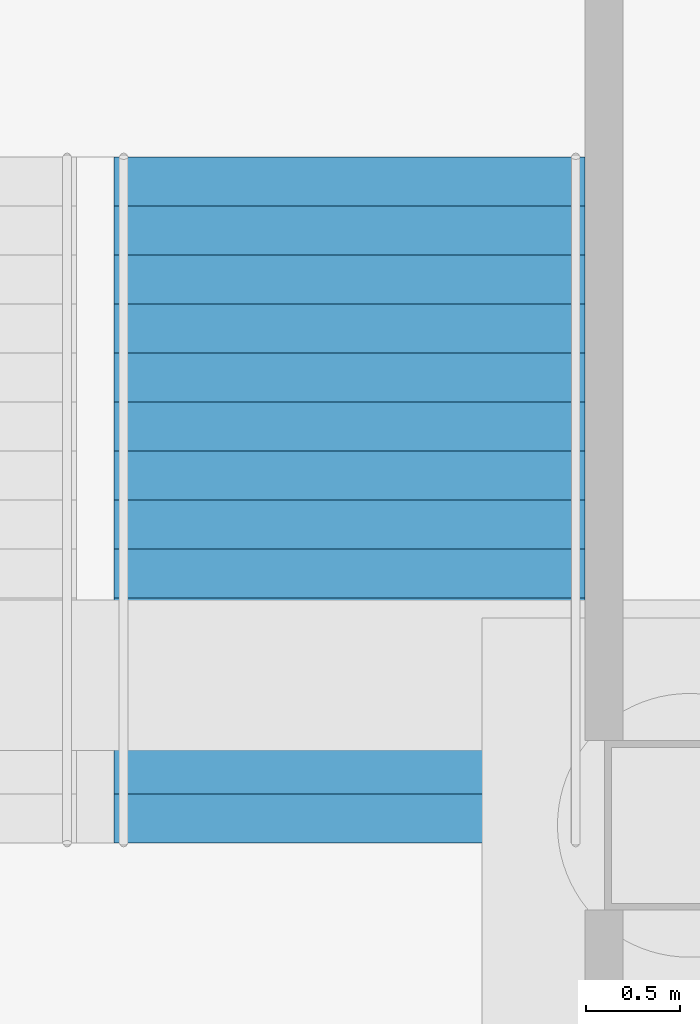
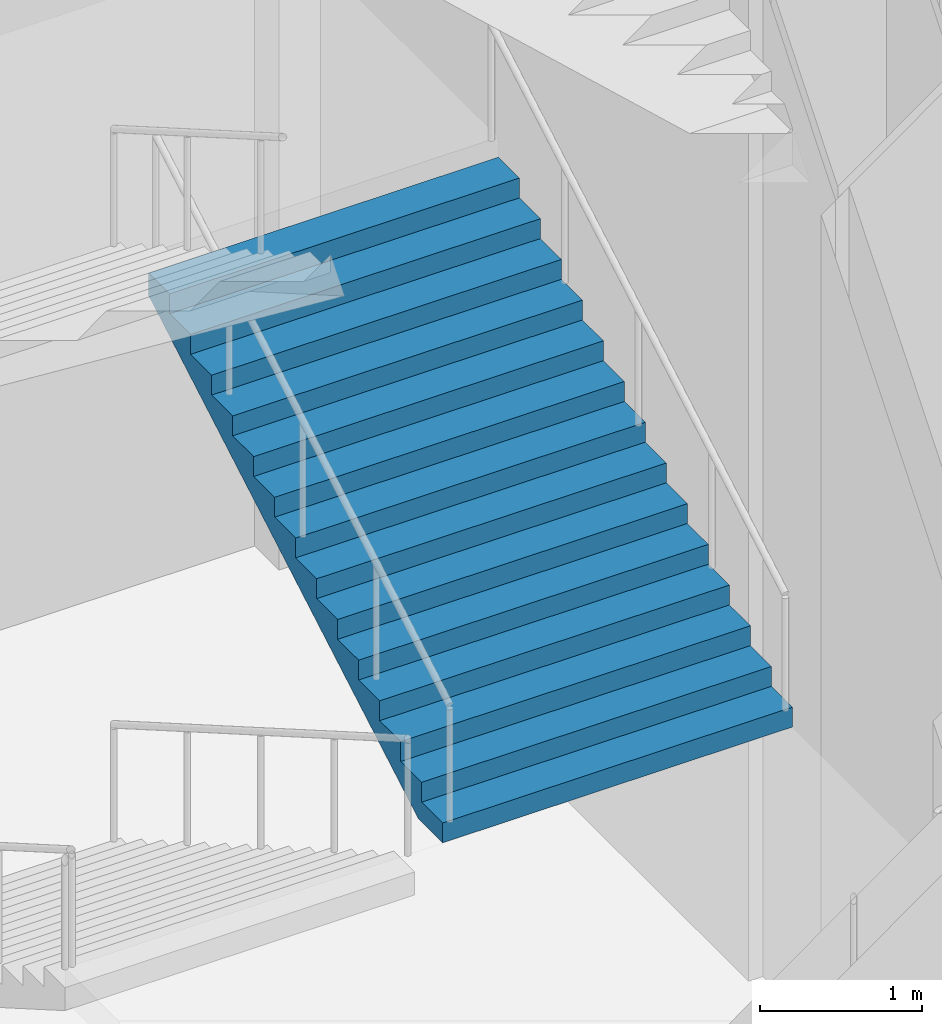
# One storey, part 86 of 113: 1 stair flight, 1 element without a shape of its own.
"""IFC4 building model written with IfcOpenShell, lengths in metres."""

from ifc_helpers import new_model, si_unit, direction, frame, origin, place, context, subcontext, project, spatial, triangles, material, type_object, element, aggregate, save


model = new_model("IFC4")

# Units and contexts
model_context = context("Model", 3, precision=1e-05, world=origin(), true_north=direction((0.0, 1.0)))
body_context = subcontext(model_context, "Body", "Model", "MODEL_VIEW")
ifc_project = project(units=[si_unit("LENGTHUNIT", "METRE"), si_unit("AREAUNIT", "SQUARE_METRE"), si_unit("VOLUMEUNIT", "CUBIC_METRE"), si_unit("PLANEANGLEUNIT", "RADIAN"), si_unit("MASSUNIT", "GRAM", prefix="KILO")], contexts=[model_context])

# Site, building, storey
site_placement = place(None, origin())
site = spatial("IfcSite", under=ifc_project, at=site_placement, CompositionType="ELEMENT")
building_placement = place(site_placement, origin())
building = spatial("IfcBuilding", under=site, at=building_placement, Name="Hakoniwa Tower and Hamabe Station Hall", CompositionType="ELEMENT")
storey_placement = place(building_placement, origin())
storey = spatial("IfcBuildingStorey", under=building, at=storey_placement, Name="L01", CompositionType="ELEMENT", Elevation=0.0)

# Stair, stair flight
ifc_material_1 = material(Name="Concrete C40", Category="concrete")
stair_type = type_object("IfcStairType", Name="STAIR 2500 15X150", PredefinedType="HALF_TURN_STAIR", material=ifc_material_1)
stair_placement = place(storey_placement, origin())
stair = element("IfcStair", 1, at=stair_placement, inside=storey, type_object=stair_type, Name="Escape stair PS2", PredefinedType="HALF_TURN_STAIR")
ifc_material_2 = material(Name="Concrete C40", Category="concrete")
stair_flight_type = type_object("IfcStairFlightType", Name="STAIR FLIGHT 2500", PredefinedType="STRAIGHT", material=ifc_material_2)
stair_flight_placement = place(storey_placement, frame((47.800048828125, 18.7099609375, 2.25), z_axis=(0.0, 0.0, 1.0), x_axis=(0.0, 1.0, 0.0)))
stair_flight = element("IfcStairFlight", 2, at=stair_flight_placement, type_object=stair_flight_type, Name="PS2 flight 2", NumberOfRisers=15, NumberOfTreads=14, PredefinedType="STRAIGHT", RiserHeight=0.15, TreadLength=0.26, context=body_context, shape_type="Tessellation", body=[
    triangles([(0.0, 1.25, 0.0), (0.260009765625, 1.25, 0.0), (0.300048828125, 1.25, 0.0), (0.52001953125, 1.25, 0.126953125), (0.780029296875, 1.25, 0.27685546875), (1.0400390625, 1.25, 0.427001953125), (1.300048828125, 1.25, 0.576904296875), (1.56005859375, 1.25, 0.72705078125), (1.820068359375, 1.25, 0.876953125), (2.080078125, 1.25, 1.02685546875), (2.340087890625, 1.25, 1.177001953125), (2.60009765625, 1.25, 1.326904296875), (2.860107421875, 1.25, 1.47705078125), (3.1201171875, 1.25, 1.626953125), (3.3798828125, 1.25, 1.77685546875), (3.639892578125, 1.25, 1.927001953125), (3.639892578125, 1.25, 2.10009765625), (3.3798828125, 1.25, 2.10009765625), (3.3798828125, 1.25, 1.949951171875), (3.1201171875, 1.25, 1.949951171875), (3.1201171875, 1.25, 1.800048828125), (2.860107421875, 1.25, 1.800048828125), (2.860107421875, 1.25, 1.64990234375), (2.60009765625, 1.25, 1.64990234375), (2.60009765625, 1.25, 1.5), (2.340087890625, 1.25, 1.5), (2.340087890625, 1.25, 1.35009765625), (2.080078125, 1.25, 1.35009765625), (2.080078125, 1.25, 1.199951171875), (1.820068359375, 1.25, 1.199951171875), (1.820068359375, 1.25, 1.050048828125), (1.56005859375, 1.25, 1.050048828125), (1.56005859375, 1.25, 0.89990234375), (1.300048828125, 1.25, 0.89990234375), (1.300048828125, 1.25, 0.75), (1.0400390625, 1.25, 0.75), (1.0400390625, 1.25, 0.60009765625), (0.780029296875, 1.25, 0.60009765625), (0.780029296875, 1.25, 0.449951171875), (0.52001953125, 1.25, 0.449951171875), (0.52001953125, 1.25, 0.300048828125), (0.300048828125, 1.25, 0.300048828125), (0.260009765625, 1.25, 0.300048828125), (0.260009765625, 1.25, 0.14990234375), (0.0, 1.25, 0.14990234375), (0.0, 0.06005859375, 0.0), (0.260009765625, 0.06005859375, 0.0), (0.300048828125, 0.06005859375, 0.0), (0.52001953125, 0.06005859375, 0.126953125), (0.780029296875, 0.06005859375, 0.27685546875), (1.0400390625, 0.06005859375, 0.427001953125), (1.300048828125, 0.06005859375, 0.576904296875), (1.56005859375, 0.06005859375, 0.72705078125), (1.820068359375, 0.06005859375, 0.876953125), (2.080078125, 0.06005859375, 1.02685546875), (2.340087890625, 0.06005859375, 1.177001953125), (2.60009765625, 0.06005859375, 1.326904296875), (2.860107421875, 0.06005859375, 1.47705078125), (3.1201171875, 0.06005859375, 1.626953125), (3.3798828125, 0.06005859375, 1.77685546875), (3.639892578125, 0.06005859375, 1.927001953125), (3.639892578125, 0.06005859375, 2.10009765625), (3.3798828125, 0.06005859375, 2.10009765625), (3.3798828125, 0.06005859375, 1.949951171875), (3.1201171875, 0.06005859375, 1.949951171875), (3.1201171875, 0.06005859375, 1.800048828125), (2.860107421875, 0.06005859375, 1.800048828125), (2.860107421875, 0.06005859375, 1.64990234375), (2.60009765625, 0.06005859375, 1.64990234375), (2.60009765625, 0.06005859375, 1.5), (2.340087890625, 0.06005859375, 1.5), (2.340087890625, 0.06005859375, 1.35009765625), (2.080078125, 0.06005859375, 1.35009765625), (2.080078125, 0.06005859375, 1.199951171875), (1.820068359375, 0.06005859375, 1.199951171875), (1.820068359375, 0.06005859375, 1.050048828125), (1.56005859375, 0.06005859375, 1.050048828125), (1.56005859375, 0.06005859375, 0.89990234375), (1.300048828125, 0.06005859375, 0.89990234375), (1.300048828125, 0.06005859375, 0.75), (1.0400390625, 0.06005859375, 0.75), (1.0400390625, 0.06005859375, 0.60009765625), (0.780029296875, 0.06005859375, 0.60009765625), (0.780029296875, 0.06005859375, 0.449951171875), (0.52001953125, 0.06005859375, 0.449951171875), (0.52001953125, 0.06005859375, 0.300048828125), (0.300048828125, 0.06005859375, 0.300048828125), (0.260009765625, 0.06005859375, 0.300048828125), (0.260009765625, 0.06005859375, 0.14990234375), (0.0, 0.06005859375, 0.14990234375), (0.0, 0.02001953125, 0.0), (0.260009765625, 0.02001953125, 0.0), (0.300048828125, 0.02001953125, 0.0), (0.52001953125, 0.02001953125, 0.126953125), (0.780029296875, 0.02001953125, 0.27685546875), (1.0400390625, 0.02001953125, 0.427001953125), (1.300048828125, 0.02001953125, 0.576904296875), (1.56005859375, 0.02001953125, 0.72705078125), (1.820068359375, 0.02001953125, 0.876953125), (2.080078125, 0.02001953125, 1.02685546875), (2.340087890625, 0.02001953125, 1.177001953125), (2.60009765625, 0.02001953125, 1.326904296875), (2.860107421875, 0.02001953125, 1.47705078125), (3.1201171875, 0.02001953125, 1.626953125), (3.3798828125, 0.02001953125, 1.77685546875), (3.639892578125, 0.02001953125, 1.927001953125), (3.639892578125, 0.02001953125, 2.10009765625), (3.3798828125, 0.02001953125, 2.10009765625), (3.3798828125, 0.02001953125, 1.949951171875), (3.1201171875, 0.02001953125, 1.949951171875), (3.1201171875, 0.02001953125, 1.800048828125), (2.860107421875, 0.02001953125, 1.800048828125), (2.860107421875, 0.02001953125, 1.64990234375), (2.60009765625, 0.02001953125, 1.64990234375), (2.60009765625, 0.02001953125, 1.5), (2.340087890625, 0.02001953125, 1.5), (2.340087890625, 0.02001953125, 1.35009765625), (2.080078125, 0.02001953125, 1.35009765625), (2.080078125, 0.02001953125, 1.199951171875), (1.820068359375, 0.02001953125, 1.199951171875), (1.820068359375, 0.02001953125, 1.050048828125), (1.56005859375, 0.02001953125, 1.050048828125), (1.56005859375, 0.02001953125, 0.89990234375), (1.300048828125, 0.02001953125, 0.89990234375), (1.300048828125, 0.02001953125, 0.75), (1.0400390625, 0.02001953125, 0.75), (1.0400390625, 0.02001953125, 0.60009765625), (0.780029296875, 0.02001953125, 0.60009765625), (0.780029296875, 0.02001953125, 0.449951171875), (0.52001953125, 0.02001953125, 0.449951171875), (0.52001953125, 0.02001953125, 0.300048828125), (0.300048828125, 0.02001953125, 0.300048828125), (0.260009765625, 0.02001953125, 0.300048828125), (0.260009765625, 0.02001953125, 0.14990234375), (0.0, 0.02001953125, 0.14990234375), (0.0, -0.02001953125, 0.0), (0.260009765625, -0.02001953125, 0.0), (0.300048828125, -0.02001953125, 0.0), (0.52001953125, -0.02001953125, 0.126953125), (0.780029296875, -0.02001953125, 0.27685546875), (1.0400390625, -0.02001953125, 0.427001953125), (1.300048828125, -0.02001953125, 0.576904296875), (1.56005859375, -0.02001953125, 0.72705078125), (1.820068359375, -0.02001953125, 0.876953125), (2.080078125, -0.02001953125, 1.02685546875), (2.340087890625, -0.02001953125, 1.177001953125), (2.60009765625, -0.02001953125, 1.326904296875), (2.860107421875, -0.02001953125, 1.47705078125), (3.1201171875, -0.02001953125, 1.626953125), (3.3798828125, -0.02001953125, 1.77685546875), (3.639892578125, -0.02001953125, 1.927001953125), (3.639892578125, -0.02001953125, 2.10009765625), (3.3798828125, -0.02001953125, 2.10009765625), (3.3798828125, -0.02001953125, 1.949951171875), (3.1201171875, -0.02001953125, 1.949951171875), (3.1201171875, -0.02001953125, 1.800048828125), (2.860107421875, -0.02001953125, 1.800048828125), (2.860107421875, -0.02001953125, 1.64990234375), (2.60009765625, -0.02001953125, 1.64990234375), (2.60009765625, -0.02001953125, 1.5), (2.340087890625, -0.02001953125, 1.5), (2.340087890625, -0.02001953125, 1.35009765625), (2.080078125, -0.02001953125, 1.35009765625), (2.080078125, -0.02001953125, 1.199951171875), (1.820068359375, -0.02001953125, 1.199951171875), (1.820068359375, -0.02001953125, 1.050048828125), (1.56005859375, -0.02001953125, 1.050048828125), (1.56005859375, -0.02001953125, 0.89990234375), (1.300048828125, -0.02001953125, 0.89990234375), (1.300048828125, -0.02001953125, 0.75), (1.0400390625, -0.02001953125, 0.75), (1.0400390625, -0.02001953125, 0.60009765625), (0.780029296875, -0.02001953125, 0.60009765625), (0.780029296875, -0.02001953125, 0.449951171875), (0.52001953125, -0.02001953125, 0.449951171875), (0.52001953125, -0.02001953125, 0.300048828125), (0.300048828125, -0.02001953125, 0.300048828125), (0.260009765625, -0.02001953125, 0.300048828125), (0.260009765625, -0.02001953125, 0.14990234375), (0.0, -0.02001953125, 0.14990234375), (0.0, -0.06005859375, 0.0), (0.260009765625, -0.06005859375, 0.0), (0.300048828125, -0.06005859375, 0.0), (0.52001953125, -0.06005859375, 0.126953125), (0.780029296875, -0.06005859375, 0.27685546875), (1.0400390625, -0.06005859375, 0.427001953125), (1.300048828125, -0.06005859375, 0.576904296875), (1.56005859375, -0.06005859375, 0.72705078125), (1.820068359375, -0.06005859375, 0.876953125), (2.080078125, -0.06005859375, 1.02685546875), (2.340087890625, -0.06005859375, 1.177001953125), (2.60009765625, -0.06005859375, 1.326904296875), (2.860107421875, -0.06005859375, 1.47705078125), (3.1201171875, -0.06005859375, 1.626953125), (3.3798828125, -0.06005859375, 1.77685546875), (3.639892578125, -0.06005859375, 1.927001953125), (3.639892578125, -0.06005859375, 2.10009765625), (3.3798828125, -0.06005859375, 2.10009765625), (3.3798828125, -0.06005859375, 1.949951171875), (3.1201171875, -0.06005859375, 1.949951171875), (3.1201171875, -0.06005859375, 1.800048828125), (2.860107421875, -0.06005859375, 1.800048828125), (2.860107421875, -0.06005859375, 1.64990234375), (2.60009765625, -0.06005859375, 1.64990234375), (2.60009765625, -0.06005859375, 1.5), (2.340087890625, -0.06005859375, 1.5), (2.340087890625, -0.06005859375, 1.35009765625), (2.080078125, -0.06005859375, 1.35009765625), (2.080078125, -0.06005859375, 1.199951171875), (1.820068359375, -0.06005859375, 1.199951171875), (1.820068359375, -0.06005859375, 1.050048828125), (1.56005859375, -0.06005859375, 1.050048828125), (1.56005859375, -0.06005859375, 0.89990234375), (1.300048828125, -0.06005859375, 0.89990234375), (1.300048828125, -0.06005859375, 0.75), (1.0400390625, -0.06005859375, 0.75), (1.0400390625, -0.06005859375, 0.60009765625), (0.780029296875, -0.06005859375, 0.60009765625), (0.780029296875, -0.06005859375, 0.449951171875), (0.52001953125, -0.06005859375, 0.449951171875), (0.52001953125, -0.06005859375, 0.300048828125), (0.300048828125, -0.06005859375, 0.300048828125), (0.260009765625, -0.06005859375, 0.300048828125), (0.260009765625, -0.06005859375, 0.14990234375), (0.0, -0.06005859375, 0.14990234375), (0.0, -1.25, 0.0), (0.260009765625, -1.25, 0.0), (0.300048828125, -1.25, 0.0), (0.52001953125, -1.25, 0.126953125), (0.780029296875, -1.25, 0.27685546875), (1.0400390625, -1.25, 0.427001953125), (1.300048828125, -1.25, 0.576904296875), (1.56005859375, -1.25, 0.72705078125), (1.820068359375, -1.25, 0.876953125), (2.080078125, -1.25, 1.02685546875), (2.340087890625, -1.25, 1.177001953125), (2.60009765625, -1.25, 1.326904296875), (2.860107421875, -1.25, 1.47705078125), (3.1201171875, -1.25, 1.626953125), (3.3798828125, -1.25, 1.77685546875), (3.639892578125, -1.25, 1.927001953125), (3.639892578125, -1.25, 2.10009765625), (3.3798828125, -1.25, 2.10009765625), (3.3798828125, -1.25, 1.949951171875), (3.1201171875, -1.25, 1.949951171875), (3.1201171875, -1.25, 1.800048828125), (2.860107421875, -1.25, 1.800048828125), (2.860107421875, -1.25, 1.64990234375), (2.60009765625, -1.25, 1.64990234375), (2.60009765625, -1.25, 1.5), (2.340087890625, -1.25, 1.5), (2.340087890625, -1.25, 1.35009765625), (2.080078125, -1.25, 1.35009765625), (2.080078125, -1.25, 1.199951171875), (1.820068359375, -1.25, 1.199951171875), (1.820068359375, -1.25, 1.050048828125), (1.56005859375, -1.25, 1.050048828125), (1.56005859375, -1.25, 0.89990234375), (1.300048828125, -1.25, 0.89990234375), (1.300048828125, -1.25, 0.75), (1.0400390625, -1.25, 0.75), (1.0400390625, -1.25, 0.60009765625), (0.780029296875, -1.25, 0.60009765625), (0.780029296875, -1.25, 0.449951171875), (0.52001953125, -1.25, 0.449951171875), (0.52001953125, -1.25, 0.300048828125), (0.300048828125, -1.25, 0.300048828125), (0.260009765625, -1.25, 0.300048828125), (0.260009765625, -1.25, 0.14990234375), (0.0, -1.25, 0.14990234375)], [[2, 45, 44], [227, 269, 270], [2, 1, 45], [227, 270, 226], [3, 43, 42], [228, 267, 268], [3, 44, 43], [228, 268, 269], [3, 2, 44], [228, 269, 227], [4, 42, 41], [229, 266, 267], [4, 3, 42], [229, 267, 228], [5, 40, 39], [230, 264, 265], [5, 41, 40], [230, 265, 266], [5, 4, 41], [230, 266, 229], [6, 38, 37], [231, 262, 263], [6, 39, 38], [231, 263, 264], [6, 5, 39], [231, 264, 230], [7, 36, 35], [232, 260, 261], [7, 37, 36], [232, 261, 262], [7, 6, 37], [232, 262, 231], [8, 34, 33], [233, 258, 259], [8, 35, 34], [233, 259, 260], [8, 7, 35], [233, 260, 232], [9, 32, 31], [234, 256, 257], [9, 33, 32], [234, 257, 258], [9, 8, 33], [234, 258, 233], [10, 30, 29], [235, 254, 255], [10, 31, 30], [235, 255, 256], [10, 9, 31], [235, 256, 234], [11, 28, 27], [236, 252, 253], [11, 29, 28], [236, 253, 254], [11, 10, 29], [236, 254, 235], [12, 26, 25], [237, 250, 251], [12, 27, 26], [237, 251, 252], [12, 11, 27], [237, 252, 236], [13, 24, 23], [238, 248, 249], [13, 25, 24], [238, 249, 250], [13, 12, 25], [238, 250, 237], [14, 22, 21], [239, 246, 247], [14, 23, 22], [239, 247, 248], [14, 13, 23], [239, 248, 238], [15, 20, 19], [240, 244, 245], [15, 21, 20], [240, 245, 246], [15, 14, 21], [240, 246, 239], [16, 18, 17], [241, 242, 243], [16, 19, 18], [241, 243, 244], [16, 15, 19], [241, 244, 240], [1, 2, 47], [1, 47, 46], [46, 47, 92], [46, 92, 91], [91, 92, 137], [91, 137, 136], [136, 137, 182], [136, 182, 181], [181, 182, 227], [181, 227, 226], [2, 3, 48], [2, 48, 47], [47, 48, 93], [47, 93, 92], [92, 93, 138], [92, 138, 137], [137, 138, 183], [137, 183, 182], [182, 183, 228], [182, 228, 227], [3, 4, 49], [3, 49, 48], [48, 49, 94], [48, 94, 93], [93, 94, 139], [93, 139, 138], [138, 139, 184], [138, 184, 183], [183, 184, 229], [183, 229, 228], [4, 5, 50], [4, 50, 49], [49, 50, 95], [49, 95, 94], [94, 95, 140], [94, 140, 139], [139, 140, 185], [139, 185, 184], [184, 185, 230], [184, 230, 229], [5, 6, 51], [5, 51, 50], [50, 51, 96], [50, 96, 95], [95, 96, 141], [95, 141, 140], [140, 141, 186], [140, 186, 185], [185, 186, 231], [185, 231, 230], [6, 7, 52], [6, 52, 51], [51, 52, 97], [51, 97, 96], [96, 97, 142], [96, 142, 141], [141, 142, 187], [141, 187, 186], [186, 187, 232], [186, 232, 231], [7, 8, 53], [7, 53, 52], [52, 53, 98], [52, 98, 97], [97, 98, 143], [97, 143, 142], [142, 143, 188], [142, 188, 187], [187, 188, 233], [187, 233, 232], [8, 9, 54], [8, 54, 53], [53, 54, 99], [53, 99, 98], [98, 99, 144], [98, 144, 143], [143, 144, 189], [143, 189, 188], [188, 189, 234], [188, 234, 233], [9, 10, 55], [9, 55, 54], [54, 55, 100], [54, 100, 99], [99, 100, 145], [99, 145, 144], [144, 145, 190], [144, 190, 189], [189, 190, 235], [189, 235, 234], [10, 11, 56], [10, 56, 55], [55, 56, 101], [55, 101, 100], [100, 101, 146], [100, 146, 145], [145, 146, 191], [145, 191, 190], [190, 191, 236], [190, 236, 235], [11, 12, 57], [11, 57, 56], [56, 57, 102], [56, 102, 101], [101, 102, 147], [101, 147, 146], [146, 147, 192], [146, 192, 191], [191, 192, 237], [191, 237, 236], [12, 13, 58], [12, 58, 57], [57, 58, 103], [57, 103, 102], [102, 103, 148], [102, 148, 147], [147, 148, 193], [147, 193, 192], [192, 193, 238], [192, 238, 237], [13, 14, 59], [13, 59, 58], [58, 59, 104], [58, 104, 103], [103, 104, 149], [103, 149, 148], [148, 149, 194], [148, 194, 193], [193, 194, 239], [193, 239, 238], [14, 15, 60], [14, 60, 59], [59, 60, 105], [59, 105, 104], [104, 105, 150], [104, 150, 149], [149, 150, 195], [149, 195, 194], [194, 195, 240], [194, 240, 239], [15, 16, 61], [15, 61, 60], [60, 61, 106], [60, 106, 105], [105, 106, 151], [105, 151, 150], [150, 151, 196], [150, 196, 195], [195, 196, 241], [195, 241, 240], [16, 17, 62], [16, 62, 61], [61, 62, 107], [61, 107, 106], [106, 107, 152], [106, 152, 151], [151, 152, 197], [151, 197, 196], [196, 197, 242], [196, 242, 241], [17, 18, 63], [17, 63, 62], [62, 63, 108], [62, 108, 107], [107, 108, 153], [107, 153, 152], [152, 153, 198], [152, 198, 197], [197, 198, 243], [197, 243, 242], [18, 19, 64], [18, 64, 63], [63, 64, 109], [63, 109, 108], [108, 109, 154], [108, 154, 153], [153, 154, 199], [153, 199, 198], [198, 199, 244], [198, 244, 243], [19, 20, 65], [19, 65, 64], [64, 65, 110], [64, 110, 109], [109, 110, 155], [109, 155, 154], [154, 155, 200], [154, 200, 199], [199, 200, 245], [199, 245, 244], [20, 21, 66], [20, 66, 65], [65, 66, 111], [65, 111, 110], [110, 111, 156], [110, 156, 155], [155, 156, 201], [155, 201, 200], [200, 201, 246], [200, 246, 245], [21, 22, 67], [21, 67, 66], [66, 67, 112], [66, 112, 111], [111, 112, 157], [111, 157, 156], [156, 157, 202], [156, 202, 201], [201, 202, 247], [201, 247, 246], [22, 23, 68], [22, 68, 67], [67, 68, 113], [67, 113, 112], [112, 113, 158], [112, 158, 157], [157, 158, 203], [157, 203, 202], [202, 203, 248], [202, 248, 247], [23, 24, 69], [23, 69, 68], [68, 69, 114], [68, 114, 113], [113, 114, 159], [113, 159, 158], [158, 159, 204], [158, 204, 203], [203, 204, 249], [203, 249, 248], [24, 25, 70], [24, 70, 69], [69, 70, 115], [69, 115, 114], [114, 115, 160], [114, 160, 159], [159, 160, 205], [159, 205, 204], [204, 205, 250], [204, 250, 249], [25, 26, 71], [25, 71, 70], [70, 71, 116], [70, 116, 115], [115, 116, 161], [115, 161, 160], [160, 161, 206], [160, 206, 205], [205, 206, 251], [205, 251, 250], [26, 27, 72], [26, 72, 71], [71, 72, 117], [71, 117, 116], [116, 117, 162], [116, 162, 161], [161, 162, 207], [161, 207, 206], [206, 207, 252], [206, 252, 251], [27, 28, 73], [27, 73, 72], [72, 73, 118], [72, 118, 117], [117, 118, 163], [117, 163, 162], [162, 163, 208], [162, 208, 207], [207, 208, 253], [207, 253, 252], [28, 29, 74], [28, 74, 73], [73, 74, 119], [73, 119, 118], [118, 119, 164], [118, 164, 163], [163, 164, 209], [163, 209, 208], [208, 209, 254], [208, 254, 253], [29, 30, 75], [29, 75, 74], [74, 75, 120], [74, 120, 119], [119, 120, 165], [119, 165, 164], [164, 165, 210], [164, 210, 209], [209, 210, 255], [209, 255, 254], [30, 31, 76], [30, 76, 75], [75, 76, 121], [75, 121, 120], [120, 121, 166], [120, 166, 165], [165, 166, 211], [165, 211, 210], [210, 211, 256], [210, 256, 255], [31, 32, 77], [31, 77, 76], [76, 77, 122], [76, 122, 121], [121, 122, 167], [121, 167, 166], [166, 167, 212], [166, 212, 211], [211, 212, 257], [211, 257, 256], [32, 33, 78], [32, 78, 77], [77, 78, 123], [77, 123, 122], [122, 123, 168], [122, 168, 167], [167, 168, 213], [167, 213, 212], [212, 213, 258], [212, 258, 257], [33, 34, 79], [33, 79, 78], [78, 79, 124], [78, 124, 123], [123, 124, 169], [123, 169, 168], [168, 169, 214], [168, 214, 213], [213, 214, 259], [213, 259, 258], [34, 35, 80], [34, 80, 79], [79, 80, 125], [79, 125, 124], [124, 125, 170], [124, 170, 169], [169, 170, 215], [169, 215, 214], [214, 215, 260], [214, 260, 259], [35, 36, 81], [35, 81, 80], [80, 81, 126], [80, 126, 125], [125, 126, 171], [125, 171, 170], [170, 171, 216], [170, 216, 215], [215, 216, 261], [215, 261, 260], [36, 37, 82], [36, 82, 81], [81, 82, 127], [81, 127, 126], [126, 127, 172], [126, 172, 171], [171, 172, 217], [171, 217, 216], [216, 217, 262], [216, 262, 261], [37, 38, 83], [37, 83, 82], [82, 83, 128], [82, 128, 127], [127, 128, 173], [127, 173, 172], [172, 173, 218], [172, 218, 217], [217, 218, 263], [217, 263, 262], [38, 39, 84], [38, 84, 83], [83, 84, 129], [83, 129, 128], [128, 129, 174], [128, 174, 173], [173, 174, 219], [173, 219, 218], [218, 219, 264], [218, 264, 263], [39, 40, 85], [39, 85, 84], [84, 85, 130], [84, 130, 129], [129, 130, 175], [129, 175, 174], [174, 175, 220], [174, 220, 219], [219, 220, 265], [219, 265, 264], [40, 41, 86], [40, 86, 85], [85, 86, 131], [85, 131, 130], [130, 131, 176], [130, 176, 175], [175, 176, 221], [175, 221, 220], [220, 221, 266], [220, 266, 265], [41, 42, 87], [41, 87, 86], [86, 87, 132], [86, 132, 131], [131, 132, 177], [131, 177, 176], [176, 177, 222], [176, 222, 221], [221, 222, 267], [221, 267, 266], [42, 43, 88], [42, 88, 87], [87, 88, 133], [87, 133, 132], [132, 133, 178], [132, 178, 177], [177, 178, 223], [177, 223, 222], [222, 223, 268], [222, 268, 267], [43, 44, 89], [43, 89, 88], [88, 89, 134], [88, 134, 133], [133, 134, 179], [133, 179, 178], [178, 179, 224], [178, 224, 223], [223, 224, 269], [223, 269, 268], [44, 45, 90], [44, 90, 89], [89, 90, 135], [89, 135, 134], [134, 135, 180], [134, 180, 179], [179, 180, 225], [179, 225, 224], [224, 225, 270], [224, 270, 269], [45, 1, 46], [45, 46, 90], [90, 46, 91], [90, 91, 135], [135, 91, 136], [135, 136, 180], [180, 136, 181], [180, 181, 225], [225, 181, 226], [225, 226, 270]], closed=True),
])
aggregate(stair, [stair_flight])

save(model, "model.ifc")
